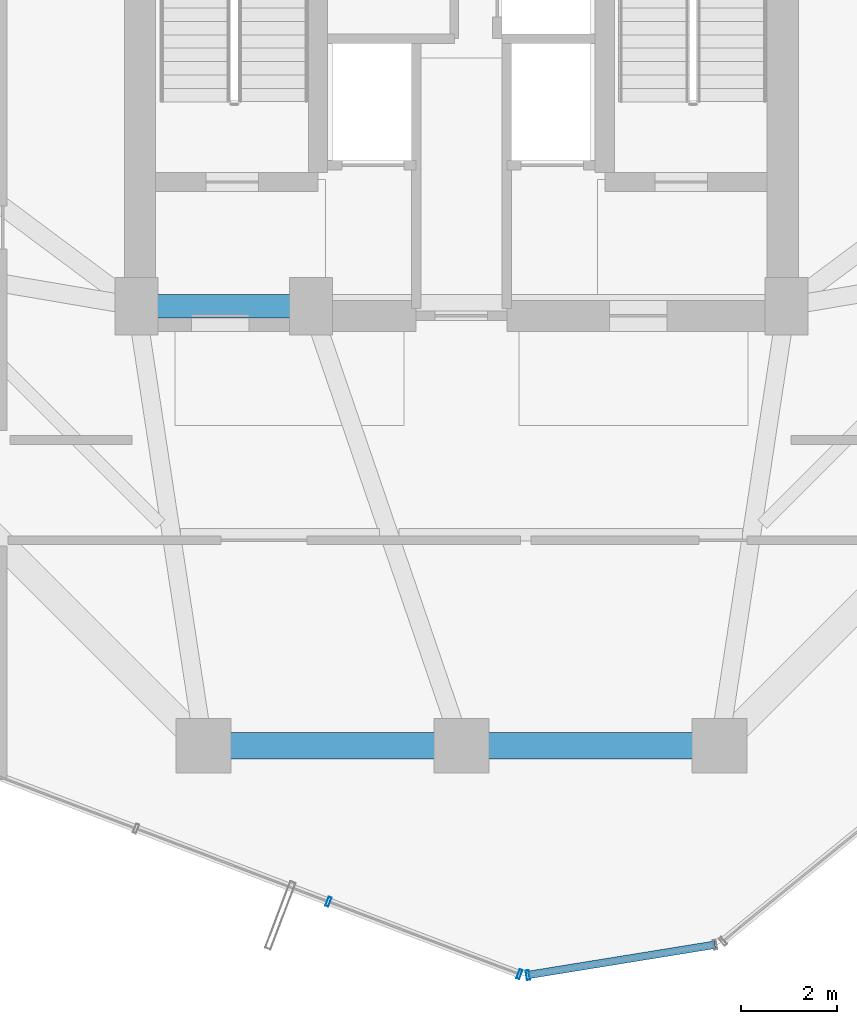
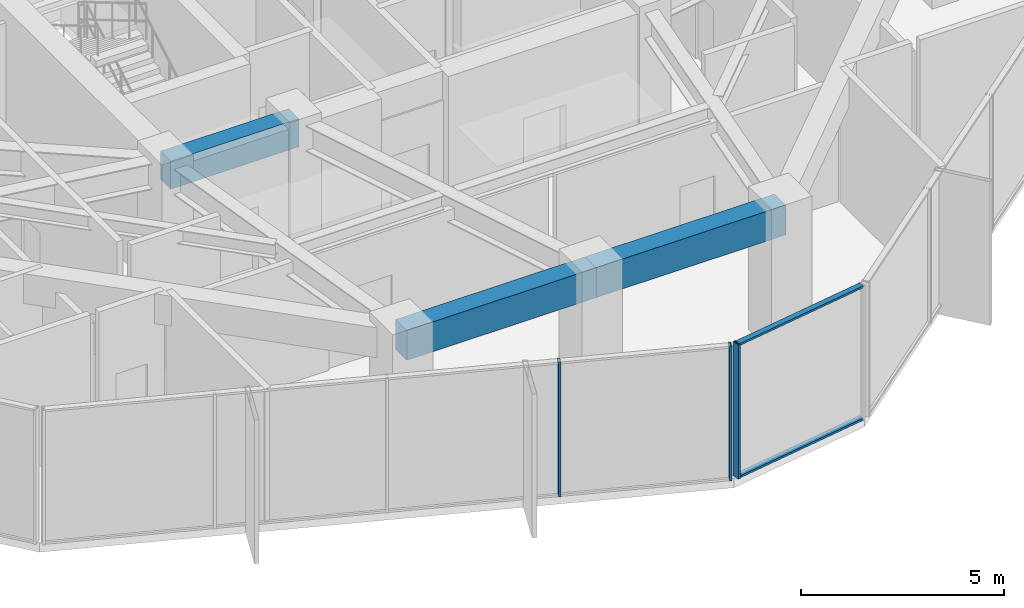
# One storey, part 5 of 26: 5 members, 3 beams, 2 elements without a shape of their own.
"""IFC4 building model written with IfcOpenShell, lengths in metres."""

from ifc_helpers import new_model, si_unit, direction, frame, origin, origin_2d, place, context, subcontext, project, spatial, rectangle, hollow_rectangle, extrude, source, transform, mapped, material, layer, layer_set, material_profile, profile_set, type_object, element, aggregate, save


model = new_model("IFC4")

# Units and contexts
model_context = context("Model", 3, precision=1e-05, world=origin(), true_north=direction((0.0, 1.0)))
body_context = subcontext(model_context, "Body", "Model", "MODEL_VIEW")
ifc_project = project(units=[si_unit("LENGTHUNIT", "METRE"), si_unit("AREAUNIT", "SQUARE_METRE"), si_unit("VOLUMEUNIT", "CUBIC_METRE"), si_unit("PLANEANGLEUNIT", "RADIAN"), si_unit("MASSUNIT", "GRAM", prefix="KILO")], contexts=[model_context])

# Site, building, storey
site_placement = place(None, origin())
site = spatial("IfcSite", under=ifc_project, at=site_placement, CompositionType="ELEMENT")
building_placement = place(site_placement, origin())
building = spatial("IfcBuilding", under=site, at=building_placement, Name="Veraguas Prism Commons", CompositionType="ELEMENT")
storey_placement = place(building_placement, frame((0.0, 0.0, 158.75)))
storey = spatial("IfcBuildingStorey", under=building, at=storey_placement, Name="L45", CompositionType="ELEMENT", Elevation=158.75)

# Beams
ifc_material_1 = material(Name="Concrete C50/60", Category="concrete")
ifc_material_profile_1 = material_profile(ifc_material_1, rectangle(XDim=0.5, YDim=0.85009765625, at=origin_2d()), Name="RC500X850")
ifc_profile_set_1 = profile_set([ifc_material_profile_1], Name="Concrete C50/60")
beam_type_1 = type_object("IfcBeamType", Name="Core Coupling Beam RC 500x850", PredefinedType="BEAM", material=ifc_profile_set_1)
beam_placement = place(storey_placement, frame((17.199951171875, 17.0, 3.625), z_axis=(1.0, 0.0, 0.0), x_axis=(0.0, 1.0, 0.0)))
element("IfcBeam", 1, at=beam_placement, inside=storey, type_object=beam_type_1, Name="Core Coupling Beam L45-CRS1", PredefinedType="BEAM", context=body_context, shape_type="SweptSolid", body=[
    extrude(rectangle(XDim=0.5, YDim=0.85009765625, at=origin_2d()), origin(), (0.0, 0.0, 1.0), 3.650146484375),
])
ifc_material_profile_2 = material_profile(ifc_material_1, rectangle(XDim=0.550048828125, YDim=0.89990234375, at=origin_2d()), Name="RC550X900")
ifc_profile_set_2 = profile_set([ifc_material_profile_2], Name="Concrete C50/60")
beam_type_2 = type_object("IfcBeamType", Name="Perimeter Spandrel Lower RC 550x900", PredefinedType="SPANDREL", material=ifc_profile_set_2)
for number, where, z_axis, x_axis, name in (
    (2, (18.60009765625, 7.800048828125, 3.60009765625), (1.0, 0.0, 0.0), (0.0, 1.0, 0.0), "Perimeter Spandrel Beam L45-SP10"),
    (3, (24.0, 7.800048828125, 3.60009765625), (1.0, 0.0, 0.0), (0.0, 1.0, 0.0), "Perimeter Spandrel Beam L45-SP11"),
):
    element("IfcBeam", number, at=place(storey_placement, frame(where, z_axis=z_axis, x_axis=x_axis)), inside=storey, type_object=beam_type_2, Name=name, PredefinedType="SPANDREL", context=body_context, shape_type="SweptSolid", body=[
        extrude(rectangle(XDim=0.550048828125, YDim=0.89990234375, at=origin_2d()), origin(), (0.0, 0.0, 1.0), 5.39990234375),
    ])

# Curtain wall, members
ifc_material_2 = material(Name="Anodised aluminium EN AW-6063 T6", Category="aluminium")
ifc_layer = layer(ifc_material_2, 0.199951171875, Name="Sky Lobby and Pool Acoustic Curtain Wall", Category="aluminium")
ifc_layer_set = layer_set([ifc_layer], Name="Anodised aluminium EN AW-6063 T6")
curtain_wall_type = type_object("IfcCurtainWallType", Name="Sky Lobby and Pool Acoustic Curtain Wall", PredefinedType="NOTDEFINED", material=ifc_layer_set)
curtain_wall_1_placement = place(storey_placement, origin())
curtain_wall_1 = element("IfcCurtainWall", 4, at=curtain_wall_1_placement, inside=storey, type_object=curtain_wall_type, Name="Tower Facade Curtain Wall L45-F4", PredefinedType="NOTDEFINED")
ifc_material_profile_3 = material_profile(ifc_material_2, hollow_rectangle(XDim=0.06494140625, YDim=0.199951171875, WallThickness=0.00390625, at=origin_2d()), Name="AL65X200X4")
ifc_profile_set_3 = profile_set([ifc_material_profile_3], Name="Anodised aluminium EN AW-6063 T6")
member_type_1 = type_object("IfcMemberType", Name="Curtain Wall Mullion Heavy AL 65x200x4", PredefinedType="MULLION", material=ifc_profile_set_3)
shared_shape_1 = source(origin(), body_context, "Body", "SweptSolid", [
    extrude(hollow_rectangle(XDim=0.06494140625, YDim=0.199951171875, WallThickness=0.00390625, at=origin_2d()), origin(), (0.0, 0.0, 1.0), 4.050048828125),
])
member_1_placement = place(storey_placement, frame((21.2158203125, 4.537841796875, 0.0), z_axis=(0.0, 0.0, 1.0), x_axis=(0.934824436833, -0.355110225563, 0.0)))
member_1 = element("IfcMember", 5, at=member_1_placement, type_object=member_type_1, Name="CW-SKY Mullion 4", PredefinedType="MULLION", context=body_context, shape_type="MappedRepresentation", body=[
    mapped(shared_shape_1, transform((0.0, 0.0, 0.0), scale=1.0)),
])
member_2_placement = place(storey_placement, frame((25.21337890625, 3.019287109375, 0.0), z_axis=(0.0, 0.0, 1.0), x_axis=(0.934824436833, -0.355110225563, 0.0)))
member_2 = element("IfcMember", 6, at=member_2_placement, type_object=member_type_1, Name="CW-SKY Mullion 5", PredefinedType="MULLION", context=body_context, shape_type="MappedRepresentation", body=[
    mapped(shared_shape_1, transform((0.0, 0.0, 0.0), scale=1.0)),
])
aggregate(curtain_wall_1, [member_1, member_2])

curtain_wall_2_placement = place(storey_placement, origin())
curtain_wall_2 = element("IfcCurtainWall", 7, at=curtain_wall_2_placement, inside=storey, type_object=curtain_wall_type, Name="Chamfer Curtain Wall L45-C5", PredefinedType="NOTDEFINED")
member_3_placement = place(storey_placement, frame((25.39111328125, 3.001220703125, 0.0), z_axis=(0.0, 0.0, 1.0), x_axis=(0.98713738123, 0.159874296177, 0.0)))
member_3 = element("IfcMember", 8, at=member_3_placement, type_object=member_type_1, Name="CW-SKY Mullion 1", PredefinedType="MULLION", context=body_context, shape_type="MappedRepresentation", body=[
    mapped(shared_shape_1, transform((0.0, 0.0, 0.0), scale=1.0)),
])
ifc_material_profile_4 = material_profile(ifc_material_2, hollow_rectangle(XDim=0.06005859375, YDim=0.159912109375, WallThickness=0.0029296875, at=origin_2d()), Name="AL60X160X3")
ifc_profile_set_4 = profile_set([ifc_material_profile_4], Name="Anodised aluminium EN AW-6063 T6")
member_type_2 = type_object("IfcMemberType", Name="Curtain Wall Transom Heavy AL 60x160x3", PredefinedType="USERDEFINED", material=ifc_profile_set_4)
shared_shape_2 = source(origin(), body_context, "Body", "SweptSolid", [
    extrude(hollow_rectangle(XDim=0.06005859375, YDim=0.159912109375, WallThickness=0.0029296875, at=origin_2d()), origin(), (0.0, 0.0, 1.0), 3.968017578125),
])
member_4_placement = place(storey_placement, frame((25.39111328125, 3.001220703125, 0.030029296875), z_axis=(0.987141711843, 0.159847554685, 0.0), x_axis=(0.0, 0.0, 1.0)))
member_4 = element("IfcMember", 9, at=member_4_placement, type_object=member_type_2, Name="CW-SKY Transom 1", ObjectType="TRANSOM", PredefinedType="USERDEFINED", context=body_context, shape_type="MappedRepresentation", body=[
    mapped(shared_shape_2, transform((0.0, 0.0, 0.0), scale=1.0)),
])
member_5_placement = place(storey_placement, frame((25.39111328125, 3.001220703125, 4.02001953125), z_axis=(0.987141711843, 0.159847554685, 0.0), x_axis=(0.0, 0.0, 1.0)))
member_5 = element("IfcMember", 10, at=member_5_placement, type_object=member_type_2, Name="CW-SKY Transom 2", ObjectType="TRANSOM", PredefinedType="USERDEFINED", context=body_context, shape_type="MappedRepresentation", body=[
    mapped(shared_shape_2, transform((0.0, 0.0, 0.0), scale=1.0)),
])
aggregate(curtain_wall_2, [member_3, member_4, member_5])

save(model, "model.ifc")
